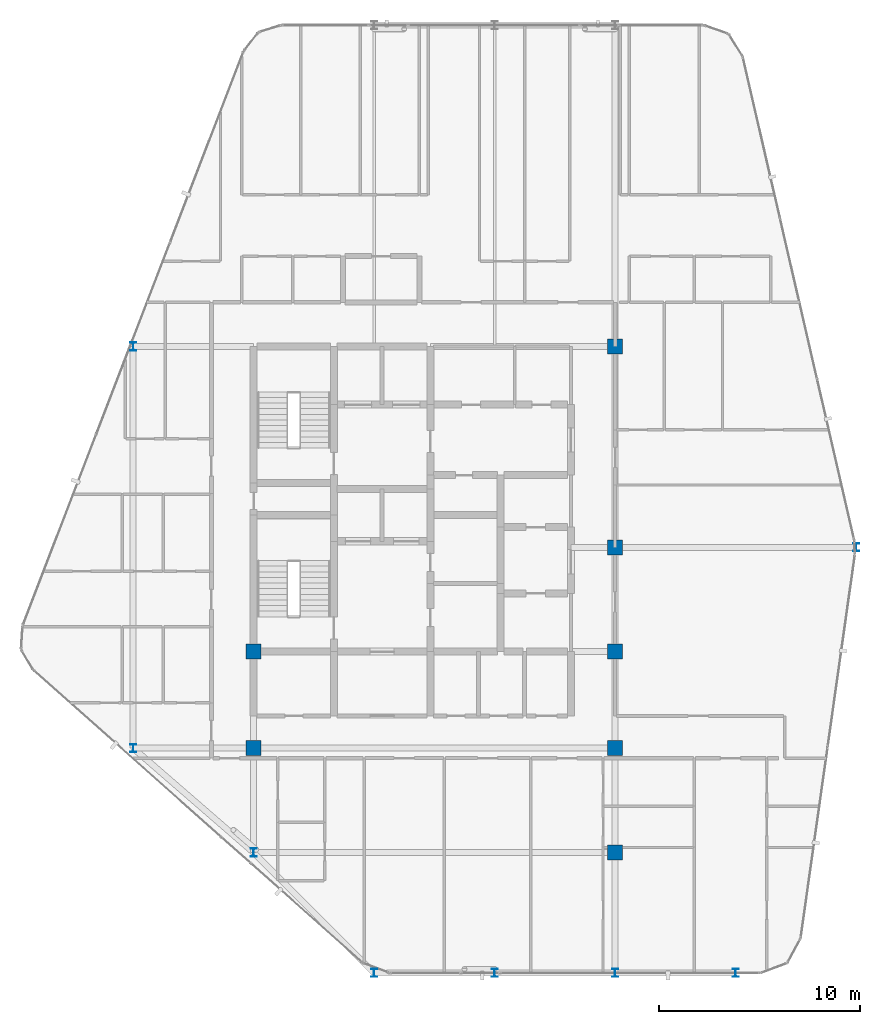
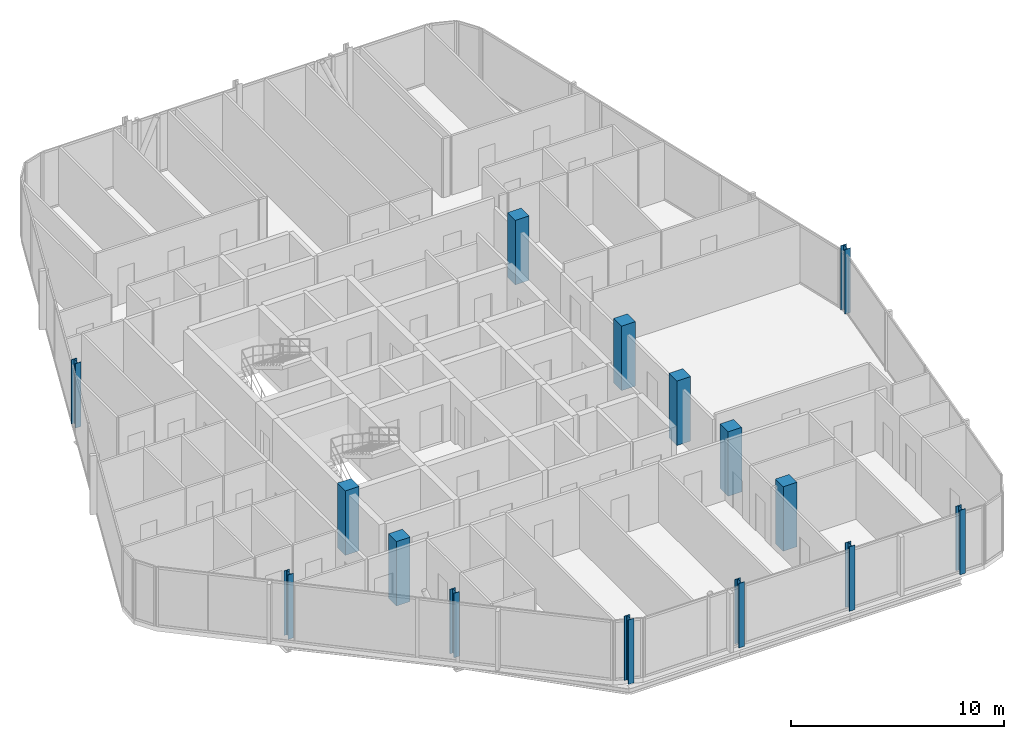
# One storey, part 1 of 27: 15 columns.
"""IFC4 building model written with IfcOpenShell, lengths in metres."""

from ifc_helpers import new_model, si_unit, direction, frame, origin, origin_2d, place, context, subcontext, project, spatial, rectangle, i_section, extrude, material, material_profile, profile_set, type_object, element, save


model = new_model("IFC4")

# Units and contexts
model_context = context("Model", 3, precision=1e-05, world=origin(), true_north=direction((0.0, 1.0)))
body_context = subcontext(model_context, "Body", "Model", "MODEL_VIEW")
ifc_project = project(units=[si_unit("LENGTHUNIT", "METRE"), si_unit("AREAUNIT", "SQUARE_METRE"), si_unit("VOLUMEUNIT", "CUBIC_METRE"), si_unit("PLANEANGLEUNIT", "RADIAN"), si_unit("MASSUNIT", "GRAM", prefix="KILO")], contexts=[model_context])

# Site, building, storey
site_placement = place(None, origin())
site = spatial("IfcSite", under=ifc_project, at=site_placement, CompositionType="ELEMENT")
building_placement = place(site_placement, origin())
building = spatial("IfcBuilding", under=site, at=building_placement, Name="Keshet Zoharim Tower", CompositionType="ELEMENT")
storey_placement = place(building_placement, frame((0.0, 0.0, 273.199951171875)))
storey = spatial("IfcBuildingStorey", under=building, at=storey_placement, Name="L68", CompositionType="ELEMENT", Elevation=273.199951171875)

# Columns
ifc_material_1 = material(Name="Steel S355", Category="steel")
ifc_material_profile_1 = material_profile(ifc_material_1, i_section(OverallWidth=0.300048828125, OverallDepth=0.39990234375, WebThickness=0.013427734375, FlangeThickness=0.02392578125, FilletRadius=0.027099609375, at=origin_2d()), Name="HEB400")
ifc_profile_set_1 = profile_set([ifc_material_profile_1], Name="Steel S355")
column_type_1 = type_object("IfcColumnType", Name="COL-HEB400", PredefinedType="COLUMN", material=ifc_profile_set_1)
for number, where, z_axis, x_axis, name in (
    (1, (9.0, 17.89990234375, 0.0), (0.0, 0.0, 1.0), (1.0, 0.0, 0.0), "L68 Column 2D"),
    (2, (9.0, 37.89990234375, 0.0), (0.0, 0.0, 1.0), (1.0, 0.0, 0.0), "L68 Column 2H"),
    (3, (15.0, 12.699951171875, 0.0), (0.0, 0.0, 1.0), (1.0, 0.0, 0.0), "L68 Column 3C"),
    (4, (21.0, 6.699951171875, 0.0), (0.0, 0.0, 1.0), (1.0, 0.0, 0.0), "L68 Column 4B"),
    (5, (27.0, 6.699951171875, 0.0), (0.0, 0.0, 1.0), (1.0, 0.0, 0.0), "L68 Column 5B"),
    (6, (33.0, 6.699951171875, 0.0), (0.0, 0.0, 1.0), (1.0, 0.0, 0.0), "L68 Column 6B"),
    (7, (39.0, 6.699951171875, 0.0), (0.0, 0.0, 1.0), (1.0, 0.0, 0.0), "L68 Column 7B"),
    (8, (45.0, 27.89990234375, 0.0), (0.0, 0.0, 1.0), (1.0, 0.0, 0.0), "L68 Column 8F"),
):
    element("IfcColumn", number, at=place(storey_placement, frame(where, z_axis=z_axis, x_axis=x_axis)), inside=storey, type_object=column_type_1, Name=name, PredefinedType="COLUMN", context=body_context, shape_type="SweptSolid", body=[
        extrude(i_section(OverallWidth=0.300048828125, OverallDepth=0.39990234375, WebThickness=0.013427734375, FlangeThickness=0.02392578125, FilletRadius=0.027099609375, at=origin_2d()), origin(), (0.0, 0.0, 1.0), 3.699951171875),
    ])
ifc_material_2 = material(Name="Concrete C50/60", Category="concrete")
ifc_material_profile_2 = material_profile(ifc_material_2, rectangle(XDim=0.75, YDim=0.75, at=origin_2d()), Name="RC750x750")
ifc_profile_set_2 = profile_set([ifc_material_profile_2], Name="Concrete C50/60")
column_type_2 = type_object("IfcColumnType", Name="COL-RC750", PredefinedType="COLUMN", material=ifc_profile_set_2)
for number, where, z_axis, x_axis, name in (
    (9, (15.0, 17.89990234375, 0.0), (0.0, 0.0, 1.0), (1.0, 0.0, 0.0), "L68 Column 3D"),
    (10, (15.0, 22.699951171875, 0.0), (0.0, 0.0, 1.0), (1.0, 0.0, 0.0), "L68 Column 3E"),
    (11, (33.0, 12.699951171875, 0.0), (0.0, 0.0, 1.0), (1.0, 0.0, 0.0), "L68 Column 6C"),
    (12, (33.0, 17.89990234375, 0.0), (0.0, 0.0, 1.0), (1.0, 0.0, 0.0), "L68 Column 6D"),
    (13, (33.0, 22.699951171875, 0.0), (0.0, 0.0, 1.0), (1.0, 0.0, 0.0), "L68 Column 6E"),
    (14, (33.0, 27.89990234375, 0.0), (0.0, 0.0, 1.0), (1.0, 0.0, 0.0), "L68 Column 6F"),
    (15, (33.0, 37.89990234375, 0.0), (0.0, 0.0, 1.0), (1.0, 0.0, 0.0), "L68 Column 6H"),
):
    element("IfcColumn", number, at=place(storey_placement, frame(where, z_axis=z_axis, x_axis=x_axis)), inside=storey, type_object=column_type_2, Name=name, PredefinedType="COLUMN", context=body_context, shape_type="SweptSolid", body=[
        extrude(rectangle(XDim=0.75, YDim=0.75, at=origin_2d()), origin(), (0.0, 0.0, 1.0), 3.699951171875),
    ])

save(model, "model.ifc")
